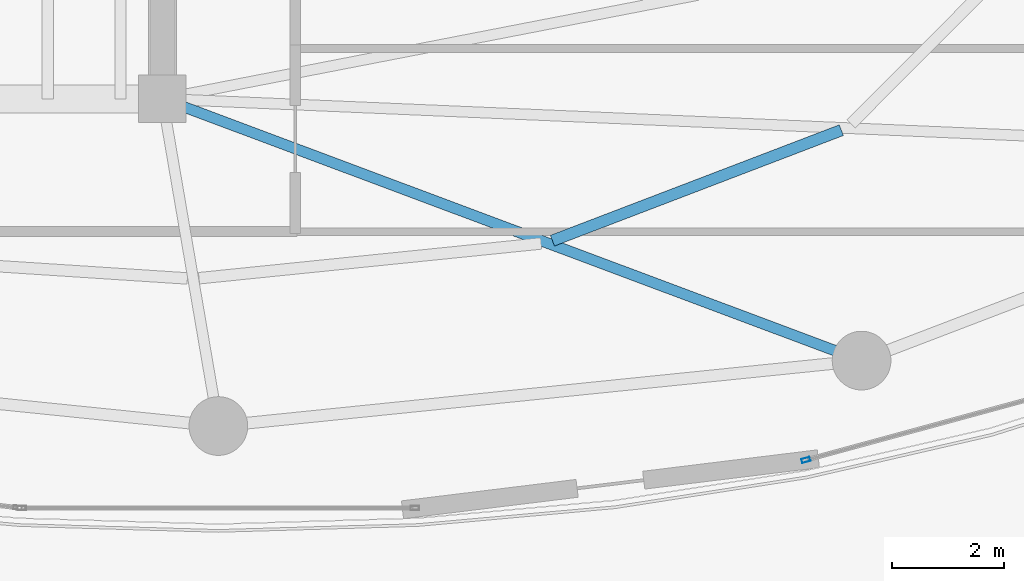
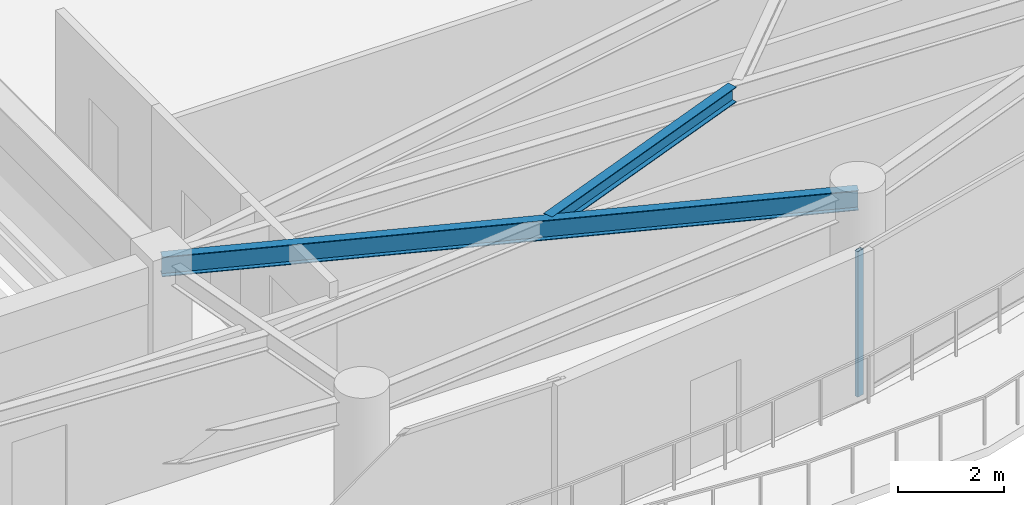
# One storey, part 10 of 28: 2 beams, 1 member, 1 element without a shape of its own.
"""IFC4 building model written with IfcOpenShell, lengths in metres."""

from ifc_helpers import new_model, si_unit, direction, frame, origin, origin_2d, place, context, subcontext, project, spatial, hollow_rectangle, i_section, extrude, material, layer, layer_set, material_profile, profile_set, type_object, element, aggregate, save


model = new_model("IFC4")

# Units and contexts
model_context = context("Model", 3, precision=1e-05, world=origin(), true_north=direction((0.0, 1.0)))
body_context = subcontext(model_context, "Body", "Model", "MODEL_VIEW")
ifc_project = project(units=[si_unit("LENGTHUNIT", "METRE"), si_unit("AREAUNIT", "SQUARE_METRE"), si_unit("VOLUMEUNIT", "CUBIC_METRE"), si_unit("PLANEANGLEUNIT", "RADIAN"), si_unit("MASSUNIT", "GRAM", prefix="KILO")], contexts=[model_context])

# Site, building, storey
site_placement = place(None, origin())
site = spatial("IfcSite", under=ifc_project, at=site_placement, CompositionType="ELEMENT")
building_placement = place(site_placement, origin())
building = spatial("IfcBuilding", under=site, at=building_placement, Name="Kazevale Care Tower and Concert Hall", CompositionType="ELEMENT")
storey_placement = place(building_placement, frame((0.0, 0.0, 231.60009765625)))
storey = spatial("IfcBuildingStorey", under=building, at=storey_placement, Name="L61", CompositionType="ELEMENT", Elevation=231.60009765625)

# Curtain wall, member
ifc_material_1 = material(Name="Aluminium 6063-T6 and Low-E Glass", Category="aluminium")
ifc_layer = layer(ifc_material_1, 0.179931640625)
ifc_layer_set = layer_set([ifc_layer], Name="Aluminium 6063-T6 and Low-E Glass")
curtain_wall_type = type_object("IfcCurtainWallType", Name="Sheltered Concave Balcony Curtain Wall CW-5", PredefinedType="NOTDEFINED", material=ifc_layer_set)
curtain_wall_placement = place(storey_placement, origin())
curtain_wall = element("IfcCurtainWall", 1, at=curtain_wall_placement, inside=storey, type_object=curtain_wall_type, Name="cw:L61:f04", PredefinedType="NOTDEFINED")
ifc_material_2 = material(Name="Aluminium 6063-T6", Category="aluminium")
ifc_material_profile_1 = material_profile(ifc_material_2, hollow_rectangle(XDim=0.074951171875, YDim=0.14990234375, WallThickness=0.00390625, at=origin_2d()), Name="ALU75x150x4")
ifc_profile_set_1 = profile_set([ifc_material_profile_1], Name="Aluminium 6063-T6")
member_type = type_object("IfcMemberType", Name="CW-5 Mullion ALU75x150x4", PredefinedType="MULLION", material=ifc_profile_set_1)
member_placement = place(storey_placement, frame((55.505126953125, 17.142822265625, 0.0), z_axis=(0.0, 0.0, 1.0), x_axis=(0.262848968947, -0.964836991167, 0.0)))
member = element("IfcMember", 2, at=member_placement, type_object=member_type, Name="CW-5 mullion 2", PredefinedType="MULLION", context=body_context, shape_type="SweptSolid", body=[
    extrude(hollow_rectangle(XDim=0.074951171875, YDim=0.14990234375, WallThickness=0.00390625, at=origin_2d()), origin(), (0.0, 0.0, 1.0), 3.35986328125),
])
aggregate(curtain_wall, [member])

# Beams
ifc_material_3 = material(Name="Steel ASTM A572 Gr 50", Category="steel")
ifc_material_profile_2 = material_profile(ifc_material_3, i_section(OverallWidth=0.19091796875, OverallDepth=0.4599609375, WebThickness=0.010009765625, FlangeThickness=0.01611328125, at=origin_2d()), Name="W460x82")
ifc_profile_set_2 = profile_set([ifc_material_profile_2], Name="Steel ASTM A572 Gr 50")
beam_type_1 = type_object("IfcBeamType", Name="Radial Floor Beam W460x82", PredefinedType="BEAM", material=ifc_profile_set_2)
beam_1_placement = place(storey_placement, frame((44.0, 23.60009765625, 3.1298828125), z_axis=(0.936509460339, -0.350642311615, 0.0), x_axis=(0.350642311615, 0.936509460339, 0.0)))
element("IfcBeam", 3, at=beam_1_placement, inside=storey, type_object=beam_type_1, Name="beam:L61:rad:14", PredefinedType="BEAM", context=body_context, shape_type="SweptSolid", body=[
    extrude(i_section(OverallWidth=0.19091796875, OverallDepth=0.4599609375, WebThickness=0.010009765625, FlangeThickness=0.01611328125, at=origin_2d()), origin(), (0.0, 0.0, 1.0), 13.347412109375),
])
ifc_material_profile_3 = material_profile(ifc_material_3, i_section(OverallWidth=0.205078125, OverallDepth=0.35400390625, WebThickness=0.009521484375, FlangeThickness=0.016845703125, at=origin_2d()), Name="W360x79")
ifc_profile_set_3 = profile_set([ifc_material_profile_3], Name="Steel ASTM A572 Gr 50")
beam_type_2 = type_object("IfcBeamType", Name="Secondary Floor Joist W360x79", PredefinedType="JOIST", material=ifc_profile_set_3)
beam_2_placement = place(storey_placement, frame((50.972900390625, 21.06396484375, 3.182861328125), z_axis=(0.934001589337, 0.35726884991, 0.0), x_axis=(-0.35726884991, 0.934001589337, 0.0)))
element("IfcBeam", 4, at=beam_2_placement, inside=storey, type_object=beam_type_2, Name="beam:L61:joist:14", PredefinedType="JOIST", context=body_context, shape_type="SweptSolid", body=[
    extrude(i_section(OverallWidth=0.205078125, OverallDepth=0.35400390625, WebThickness=0.009521484375, FlangeThickness=0.016845703125, at=origin_2d()), origin(), (0.0, 0.0, 1.0), 5.531005859375),
])

save(model, "model.ifc")
